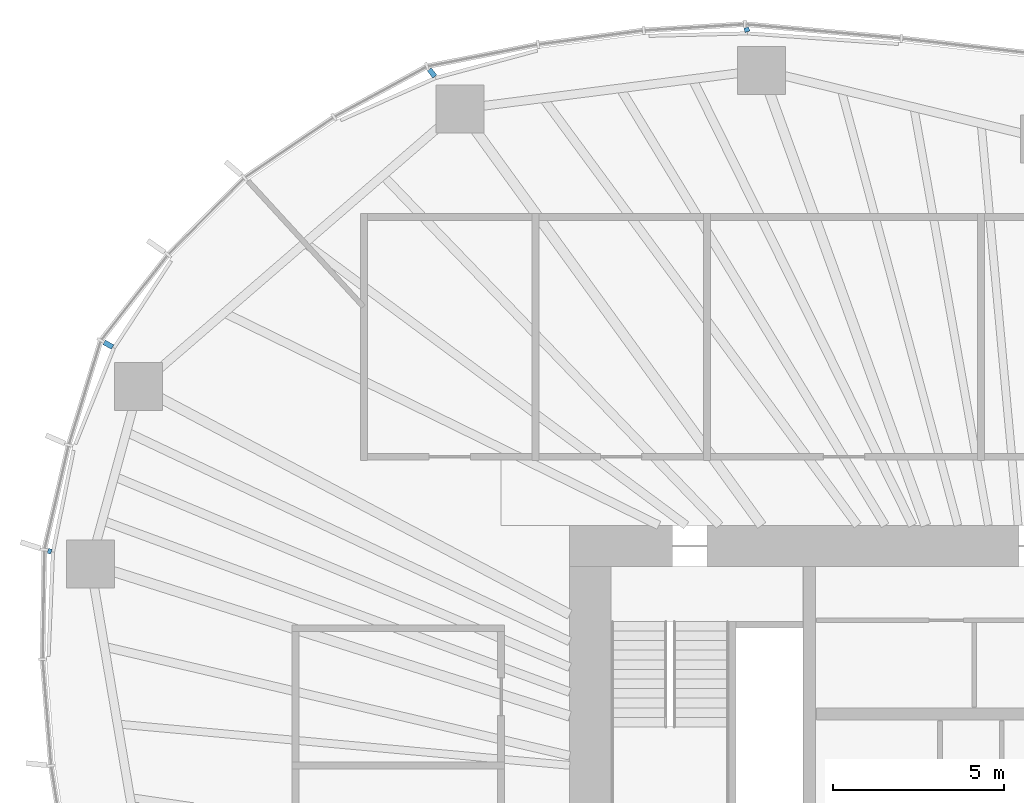
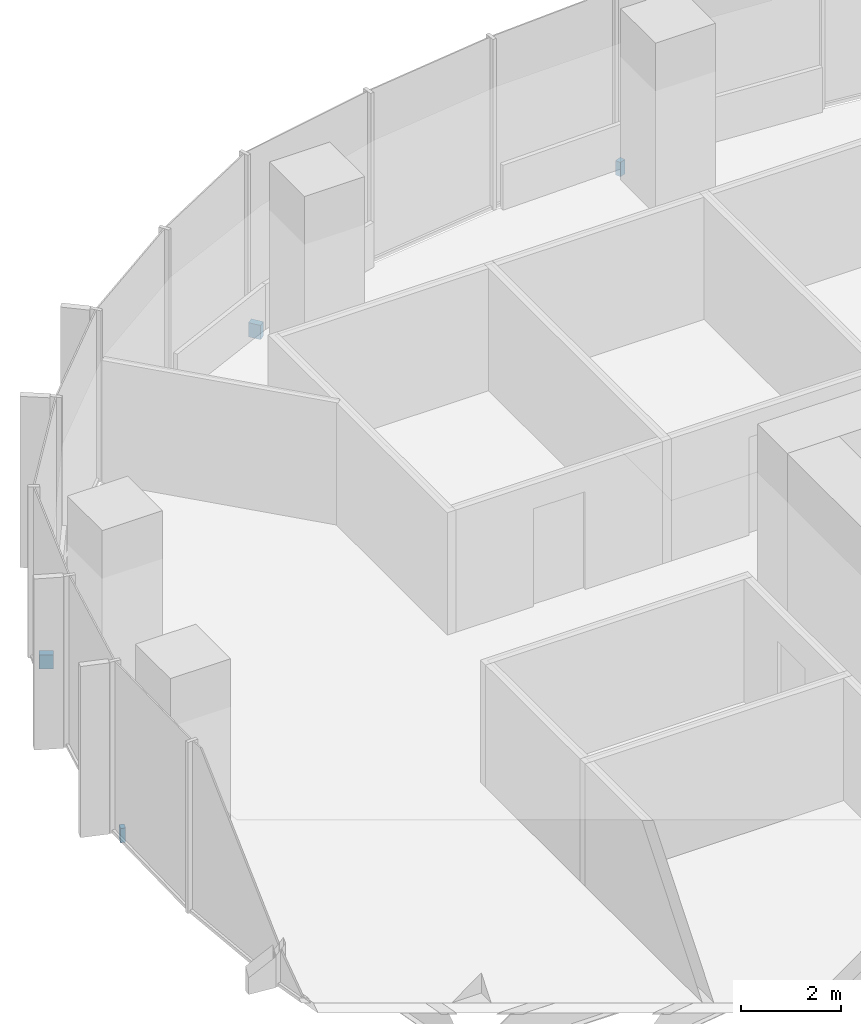
# One storey, part 15 of 18: 4 discrete accessories.
"""IFC4 building model written with IfcOpenShell, lengths in metres."""

from ifc_helpers import new_model, si_unit, direction, frame, origin, origin_2d, place, context, subcontext, project, spatial, rectangle, extrude, material, type_object, element, save


model = new_model("IFC4")

# Units and contexts
model_context = context("Model", 3, precision=1e-05, world=origin(), true_north=direction((0.0, 1.0)))
body_context = subcontext(model_context, "Body", "Model", "MODEL_VIEW")
ifc_project = project(units=[si_unit("LENGTHUNIT", "METRE"), si_unit("AREAUNIT", "SQUARE_METRE"), si_unit("VOLUMEUNIT", "CUBIC_METRE"), si_unit("PLANEANGLEUNIT", "RADIAN"), si_unit("MASSUNIT", "GRAM", prefix="KILO")], contexts=[model_context])

# Site, building, storey
site_placement = place(None, origin())
site = spatial("IfcSite", under=ifc_project, at=site_placement, CompositionType="ELEMENT")
building_placement = place(site_placement, origin())
building = spatial("IfcBuilding", under=site, at=building_placement, Name="Ghaith Harvest Tower", CompositionType="ELEMENT")
storey_placement = place(building_placement, frame((0.0, 0.0, 180.60009765625)))
storey = spatial("IfcBuildingStorey", under=building, at=storey_placement, Name="L39", CompositionType="ELEMENT", Elevation=180.60009765625)

# Discrete accessories
ifc_material_1 = material(Name="Stainless steel grade 1.4401", Category="steel")
discrete_accessory_type_1 = type_object("IfcDiscreteAccessoryType", Name="CURTAIN WALL BRACKET 105", PredefinedType="BRACKET", material=ifc_material_1)
discrete_accessory_1_placement = place(storey_placement, frame((-29.171875, 9.2451171875, -0.250244140625), z_axis=(0.0, 0.0, 1.0), x_axis=(-0.953273219358, 0.302109531884, 0.0)))
element("IfcDiscreteAccessory", 1, at=discrete_accessory_1_placement, inside=storey, type_object=discrete_accessory_type_1, Name="CW-L bracket 1 bay 10 L39", PredefinedType="BRACKET", context=body_context, shape_type="SweptSolid", body=[
    extrude(rectangle(XDim=0.10498046875, YDim=0.14990234375, at=origin_2d()), origin(), (0.0, 0.0, 1.0), 0.35009765625),
])
ifc_material_2 = material(Name="Stainless steel grade 1.4401", Category="steel")
discrete_accessory_type_2 = type_object("IfcDiscreteAccessoryType", Name="CURTAIN WALL BRACKET 125", PredefinedType="BRACKET", material=ifc_material_2)
discrete_accessory_2_placement = place(storey_placement, frame((-8.833984375, 24.45849609375, -0.250244140625), z_axis=(0.0, 0.0, 1.0), x_axis=(-0.339699453402, 0.94053404051, 0.0)))
element("IfcDiscreteAccessory", 2, at=discrete_accessory_2_placement, inside=storey, type_object=discrete_accessory_type_2, Name="CW-L bracket 1 bay 07 L39", PredefinedType="BRACKET", context=body_context, shape_type="SweptSolid", body=[
    extrude(rectangle(XDim=0.125, YDim=0.14990234375, at=origin_2d()), origin(), (0.0, 0.0, 1.0), 0.35009765625),
])
ifc_material_3 = material(Name="Stainless steel grade 1.4401", Category="steel")
discrete_accessory_type_3 = type_object("IfcDiscreteAccessoryType", Name="CURTAIN WALL BRACKET 265", PredefinedType="BRACKET", material=ifc_material_3)
discrete_accessory_3_placement = place(storey_placement, frame((-18.0166015625, 23.197998046875, -0.250244140625), z_axis=(0.0, 0.0, 1.0), x_axis=(-0.613377714422, 0.78978970584, 0.0)))
element("IfcDiscreteAccessory", 3, at=discrete_accessory_3_placement, inside=storey, type_object=discrete_accessory_type_3, Name="CW-L bracket 1 bay 08 L39", PredefinedType="BRACKET", context=body_context, shape_type="SweptSolid", body=[
    extrude(rectangle(XDim=0.264892578125, YDim=0.14990234375, at=origin_2d()), origin(), (0.0, 0.0, 1.0), 0.35009765625),
])
ifc_material_4 = material(Name="Stainless steel grade 1.4401", Category="steel")
discrete_accessory_type_4 = type_object("IfcDiscreteAccessoryType", Name="CURTAIN WALL BRACKET 285", PredefinedType="BRACKET", material=ifc_material_4)
discrete_accessory_4_placement = place(storey_placement, frame((-27.45849609375, 15.271728515625, -0.250244140625), z_axis=(0.0, 0.0, 1.0), x_axis=(-0.873926916005, 0.486057347935, 0.0)))
element("IfcDiscreteAccessory", 4, at=discrete_accessory_4_placement, inside=storey, type_object=discrete_accessory_type_4, Name="CW-L bracket 2 bay 09 L39", PredefinedType="BRACKET", context=body_context, shape_type="SweptSolid", body=[
    extrude(rectangle(XDim=0.284912109375, YDim=0.14990234375, at=origin_2d()), origin(), (0.0, 0.0, 1.0), 0.35009765625),
])

save(model, "model.ifc")
